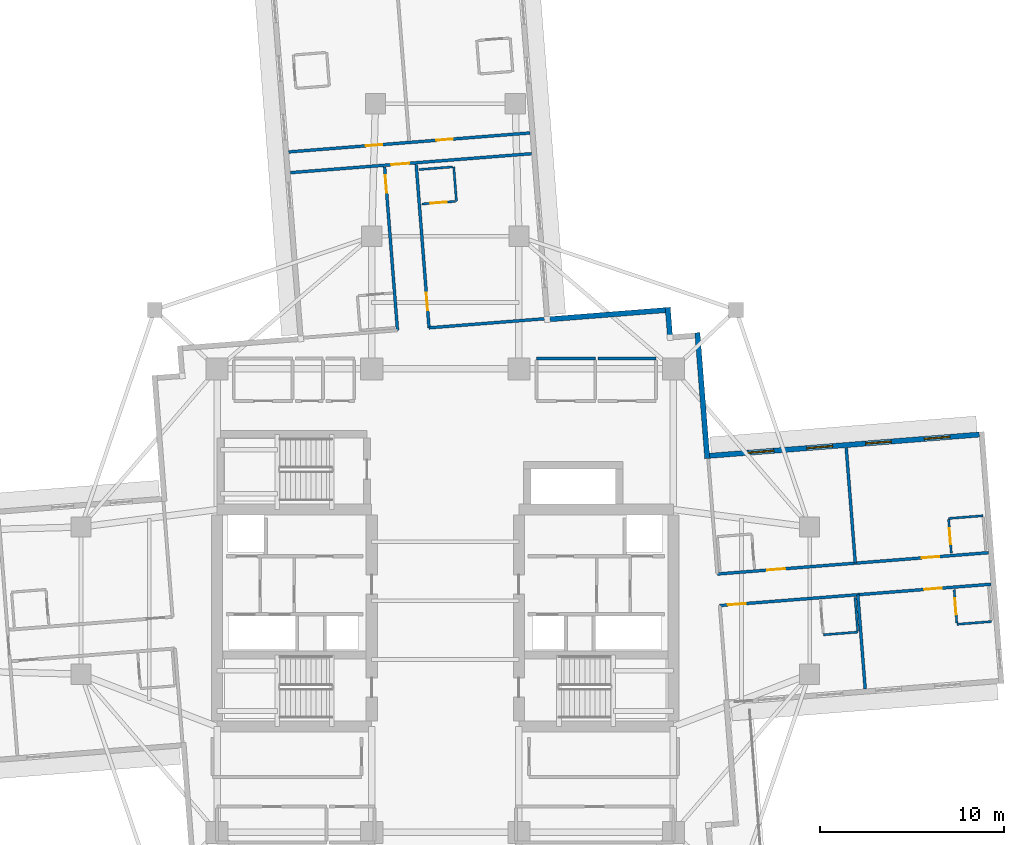
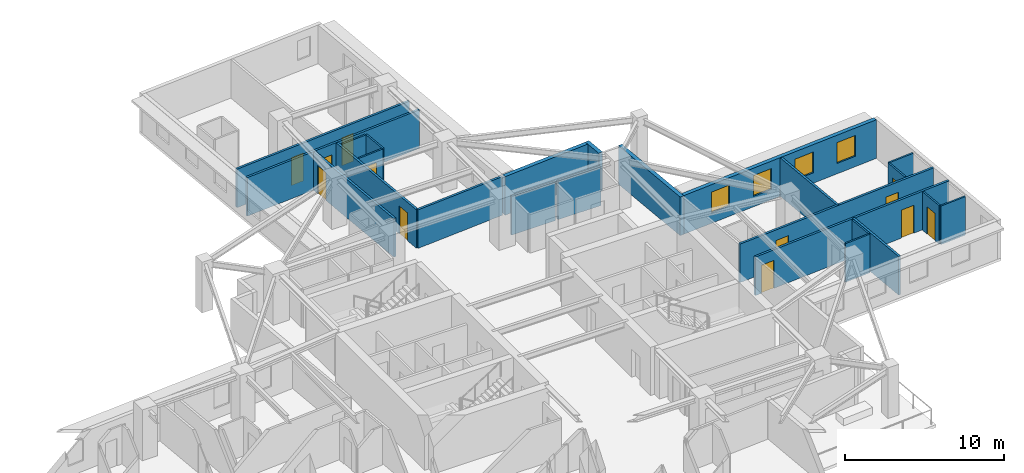
# One storey, part 8 of 14: 24 walls, 12 doors, 4 windows, 16 openings.
"""IFC4 building model written with IfcOpenShell, lengths in metres."""

from ifc_helpers import new_model, si_unit, direction, frame, frame_2d, origin, place, context, subcontext, project, spatial, rectangle, extrude, material, layer, layer_set, type_object, element, fill, save


model = new_model("IFC4")

# Units and contexts
model_context = context("Model", 3, precision=1e-05, world=origin(), true_north=direction((0.0, 1.0)))
body_context = subcontext(model_context, "Body", "Model", "MODEL_VIEW")
ifc_project = project(units=[si_unit("LENGTHUNIT", "METRE"), si_unit("AREAUNIT", "SQUARE_METRE"), si_unit("VOLUMEUNIT", "CUBIC_METRE"), si_unit("PLANEANGLEUNIT", "RADIAN"), si_unit("MASSUNIT", "GRAM", prefix="KILO")], contexts=[model_context])

# Site, building, storey
site_placement = place(None, origin())
site = spatial("IfcSite", under=ifc_project, at=site_placement, CompositionType="ELEMENT")
building_placement = place(site_placement, origin())
building = spatial("IfcBuilding", under=site, at=building_placement, Name="Qingluan Cross Belvedere", CompositionType="ELEMENT")
storey_placement = place(building_placement, frame((0.0, 0.0, 124.199951171875)))
storey = spatial("IfcBuildingStorey", under=building, at=storey_placement, Name="L31", CompositionType="ELEMENT", Elevation=124.199951171875)

# Walls
ifc_material_1 = material(Name="Gypsum plasterboard on steel stud acoustic partition", Category="steel")
ifc_layer_1 = layer(ifc_material_1, 0.159912109375, Name="CorridorPartition_160")
ifc_layer_set_1 = layer_set([ifc_layer_1], Name="Gypsum plasterboard on steel stud acoustic partition")
wall_type_1 = type_object("IfcWallType", Name="CorridorPartition_160", PredefinedType="PARTITIONING", material=ifc_layer_set_1)
wall_1_placement = place(storey_placement, frame((4.949951171875, 13.14990234375, 0.0), z_axis=(0.0, 0.0, 1.0), x_axis=(1.0, 0.0, 0.0)))
element("IfcWall", 1, at=wall_1_placement, inside=storey, type_object=wall_type_1, Name="Partition L31:q_ne1:N", PredefinedType="PARTITIONING", context=body_context, shape_type="SweptSolid", body=[
    extrude(rectangle(XDim=3.199951171875, YDim=0.159912109375, at=frame_2d((1.60009765625, 0.0))), origin(), (0.0, 0.0, 1.0), 2.9599609375),
])
wall_2_placement = place(storey_placement, frame((8.31005859375, 13.14990234375, 0.0), z_axis=(0.0, 0.0, 1.0), x_axis=(1.0, 0.0, 0.0)))
element("IfcWall", 2, at=wall_2_placement, inside=storey, type_object=wall_type_1, Name="Partition L31:q_ne2:N", PredefinedType="PARTITIONING", context=body_context, shape_type="SweptSolid", body=[
    extrude(rectangle(XDim=3.139892578125, YDim=0.159912109375, at=frame_2d((1.56982421875, 0.0))), origin(), (0.0, 0.0, 1.0), 2.9599609375),
])

# Wall, openings, doors
wall_3_placement = place(storey_placement, frame((14.7822265625, 1.4443359375, 0.0), z_axis=(0.0, 0.0, 1.0), x_axis=(0.996917997344, 0.078450663299, 0.0)))
wall_3 = element("IfcWall", 3, at=wall_3_placement, inside=storey, type_object=wall_type_1, Name="Partition L31:E:c0", PredefinedType="PARTITIONING", context=body_context, shape_type="SweptSolid", body=[
    extrude(rectangle(XDim=14.7822265625, YDim=0.159912109375, at=frame_2d((7.39111328125, 0.0))), origin(), (0.0, 0.0, 1.0), 2.9599609375),
])
opening_1_placement = place(wall_3_placement, frame((2.73291015625, 0.0, 0.0)))
opening_1 = element("IfcOpeningElement", 4, at=opening_1_placement, cuts=wall_3, Name="Opening GD-10", PredefinedType="OPENING", context=body_context, shape_type="SweptSolid", body=[
    extrude(rectangle(XDim=0.9599609375, YDim=2.14990234375, at=frame_2d((0.47998046875, 1.074951171875))), frame((0.0, 0.08984375, 0.0), z_axis=(0.0, -1.0, 0.0), x_axis=(1.0, 0.0, 0.0)), (0.0, 0.0, 1.0), 0.179931640625),
])
opening_2_placement = place(wall_3_placement, frame((11.14208984375, 0.0, 0.0)))
opening_2 = element("IfcOpeningElement", 5, at=opening_2_placement, cuts=wall_3, Name="Opening GD-10", PredefinedType="OPENING", context=body_context, shape_type="SweptSolid", body=[
    extrude(rectangle(XDim=0.9599609375, YDim=2.14990234375, at=frame_2d((0.47998046875, 1.074951171875))), frame((0.0, 0.08984375, 0.0), z_axis=(0.0, -1.0, 0.0), x_axis=(1.0, 0.0, 0.0)), (0.0, 0.0, 1.0), 0.179931640625),
])
ifc_material_2 = material(Name="Timber oak fire-rated acoustic guestroom door", Category="wood")
door_type_1 = type_object("IfcDoorType", Name="GuestEntryDoor_FD60", OperationType="NOTDEFINED", PredefinedType="DOOR", material=ifc_material_2)
door_1_placement = place(opening_1_placement, origin())
door_1 = element("IfcDoor", 6, at=door_1_placement, inside=storey, type_object=door_type_1, Name="Guest entry fire door 3101", OperationType="SINGLE_SWING_RIGHT", OverallHeight=2.14990234375, OverallWidth=0.9599609375, PredefinedType="DOOR", context=body_context, shape_type="SweptSolid", body=[
    extrude(rectangle(XDim=0.9599609375, YDim=2.14990234375, at=frame_2d((0.47998046875, 1.074951171875))), frame((0.0, 0.02490234375, 0.0), z_axis=(0.0, -1.0, 0.0), x_axis=(1.0, 0.0, 0.0)), (0.0, 0.0, 1.0), 0.050048828125),
])
fill(opening_1, door_1)
door_2_placement = place(opening_2_placement, origin())
door_2 = element("IfcDoor", 7, at=door_2_placement, inside=storey, type_object=door_type_1, Name="Guest entry fire door 3102", OperationType="SINGLE_SWING_RIGHT", OverallHeight=2.14990234375, OverallWidth=0.9599609375, PredefinedType="DOOR", context=body_context, shape_type="SweptSolid", body=[
    extrude(rectangle(XDim=0.9599609375, YDim=2.14990234375, at=frame_2d((0.47998046875, 1.074951171875))), frame((0.0, 0.02490234375, 0.0), z_axis=(0.0, -1.0, 0.0), x_axis=(1.0, 0.0, 0.0)), (0.0, 0.0, 1.0), 0.050048828125),
])
fill(opening_2, door_2)

# Wall
wall_4_placement = place(storey_placement, frame((22.2841796875, 2.03466796875, 0.0), z_axis=(0.0, 0.0, 1.0), x_axis=(-0.078494458979, 0.996914549954, 0.0)))
element("IfcWall", 8, at=wall_4_placement, inside=storey, type_object=wall_type_1, Name="Partition L31:E:d0_0", PredefinedType="PARTITIONING", context=body_context, shape_type="SweptSolid", body=[
    extrude(rectangle(XDim=6.292236328125, YDim=0.159912109375, at=frame_2d((3.14599609375, 0.0))), origin(), (0.0, 0.0, 1.0), 2.9599609375),
])

# Wall, openings, doors
wall_5_placement = place(storey_placement, frame((14.917236328125, -0.2705078125, 0.0), z_axis=(0.0, 0.0, 1.0), x_axis=(0.996916603826, 0.078468369529, 0.0)))
wall_5 = element("IfcWall", 9, at=wall_5_placement, inside=storey, type_object=wall_type_1, Name="Partition L31:E:c1", PredefinedType="PARTITIONING", context=body_context, shape_type="SweptSolid", body=[
    extrude(rectangle(XDim=14.781982421875, YDim=0.159912109375, at=frame_2d((7.39111328125, 0.0))), origin(), (0.0, 0.0, 1.0), 2.9599609375),
])
opening_3_placement = place(wall_5_placement, frame((0.449951171875, 0.0, 0.0)))
opening_3 = element("IfcOpeningElement", 10, at=opening_3_placement, cuts=wall_5, Name="Opening GD-10", PredefinedType="OPENING", context=body_context, shape_type="SweptSolid", body=[
    extrude(rectangle(XDim=0.9599609375, YDim=2.14990234375, at=frame_2d((0.47998046875, 1.074951171875))), frame((0.0, 0.08984375, 0.0), z_axis=(0.0, -1.0, 0.0), x_axis=(1.0, 0.0, 0.0)), (0.0, 0.0, 1.0), 0.179931640625),
])
opening_4_placement = place(wall_5_placement, frame((11.14208984375, 0.0, 0.0)))
opening_4 = element("IfcOpeningElement", 11, at=opening_4_placement, cuts=wall_5, Name="Opening GD-10", PredefinedType="OPENING", context=body_context, shape_type="SweptSolid", body=[
    extrude(rectangle(XDim=0.9599609375, YDim=2.14990234375, at=frame_2d((0.47998046875, 1.074951171875))), frame((0.0, 0.08984375, 0.0), z_axis=(0.0, -1.0, 0.0), x_axis=(1.0, 0.0, 0.0)), (0.0, 0.0, 1.0), 0.179931640625),
])
door_3_placement = place(opening_3_placement, origin())
door_3 = element("IfcDoor", 12, at=door_3_placement, inside=storey, type_object=door_type_1, Name="Guest entry fire door 3103", OperationType="SINGLE_SWING_RIGHT", OverallHeight=2.14990234375, OverallWidth=0.9599609375, PredefinedType="DOOR", context=body_context, shape_type="SweptSolid", body=[
    extrude(rectangle(XDim=0.9599609375, YDim=2.14990234375, at=frame_2d((0.47998046875, 1.074951171875))), frame((0.0, 0.02490234375, 0.0), z_axis=(0.0, -1.0, 0.0), x_axis=(1.0, 0.0, 0.0)), (0.0, 0.0, 1.0), 0.050048828125),
])
fill(opening_3, door_3)
door_4_placement = place(opening_4_placement, origin())
door_4 = element("IfcDoor", 13, at=door_4_placement, inside=storey, type_object=door_type_1, Name="Guest entry fire door 3104", OperationType="SINGLE_SWING_RIGHT", OverallHeight=2.14990234375, OverallWidth=0.9599609375, PredefinedType="DOOR", context=body_context, shape_type="SweptSolid", body=[
    extrude(rectangle(XDim=0.9599609375, YDim=2.14990234375, at=frame_2d((0.47998046875, 1.074951171875))), frame((0.0, 0.02490234375, 0.0), z_axis=(0.0, -1.0, 0.0), x_axis=(1.0, 0.0, 0.0)), (0.0, 0.0, 1.0), 0.050048828125),
])
fill(opening_4, door_4)

# Wall
wall_6_placement = place(storey_placement, frame((22.4189453125, 0.320068359375, 0.0), z_axis=(0.0, 0.0, 1.0), x_axis=(0.078493468985, -0.996914627903, 0.0)))
element("IfcWall", 14, at=wall_6_placement, inside=storey, type_object=wall_type_1, Name="Partition L31:E:d1_0", PredefinedType="PARTITIONING", context=body_context, shape_type="SweptSolid", body=[
    extrude(rectangle(XDim=5.132080078125, YDim=0.159912109375, at=frame_2d((2.56591796875, 0.0))), origin(), (0.0, 0.0, 1.0), 2.9599609375),
])

# Wall, opening, door
wall_7_placement = place(storey_placement, frame((-0.885986328125, 14.826171875, 0.0), z_axis=(0.0, 0.0, 1.0), x_axis=(-0.078454258523, 0.996917714418, 0.0)))
wall_7 = element("IfcWall", 15, at=wall_7_placement, inside=storey, type_object=wall_type_1, Name="Partition L31:N:c0", PredefinedType="PARTITIONING", context=body_context, shape_type="SweptSolid", body=[
    extrude(rectangle(XDim=8.89990234375, YDim=0.159912109375, at=frame_2d((4.449951171875, 0.0))), origin(), (0.0, 0.0, 1.0), 2.9599609375),
])
opening_5_placement = place(wall_7_placement, frame((0.952880859375, 0.0, 0.0)))
opening_5 = element("IfcOpeningElement", 16, at=opening_5_placement, cuts=wall_7, Name="Opening GD-10", PredefinedType="OPENING", context=body_context, shape_type="SweptSolid", body=[
    extrude(rectangle(XDim=0.9599609375, YDim=2.14990234375, at=frame_2d((0.47998046875, 1.074951171875))), frame((0.0, 0.08984375, 0.0), z_axis=(0.0, -1.0, 0.0), x_axis=(1.0, 0.0, 0.0)), (0.0, 0.0, 1.0), 0.179931640625),
])
door_5_placement = place(opening_5_placement, origin())
door_5 = element("IfcDoor", 17, at=door_5_placement, inside=storey, type_object=door_type_1, Name="Guest entry fire door 3107", OperationType="SINGLE_SWING_RIGHT", OverallHeight=2.14990234375, OverallWidth=0.9599609375, PredefinedType="DOOR", context=body_context, shape_type="SweptSolid", body=[
    extrude(rectangle(XDim=0.9599609375, YDim=2.14990234375, at=frame_2d((0.47998046875, 1.074951171875))), frame((0.0, 0.02490234375, 0.0), z_axis=(0.0, -1.0, 0.0), x_axis=(1.0, 0.0, 0.0)), (0.0, 0.0, 1.0), 0.050048828125),
])
fill(opening_5, door_5)

# Wall
wall_8_placement = place(storey_placement, frame((-0.885986328125, 14.826171875, 0.0), z_axis=(0.0, 0.0, 1.0), x_axis=(0.996916203247, 0.078473458597, 0.0)))
element("IfcWall", 18, at=wall_8_placement, inside=storey, type_object=wall_type_1, Name="Partition L31:N:s0", PredefinedType="PARTITIONING", context=body_context, shape_type="SweptSolid", body=[
    extrude(rectangle(XDim=6.43994140625, YDim=0.159912109375, at=frame_2d((3.219970703125, 0.0))), origin(), (0.0, 0.0, 1.0), 2.9599609375),
])

# Wall, opening, door
wall_9_placement = place(storey_placement, frame((-2.6005859375, 14.691162109375, 0.0), z_axis=(0.0, 0.0, 1.0), x_axis=(-0.07848152115, 0.99691556856, 0.0)))
wall_9 = element("IfcWall", 19, at=wall_9_placement, inside=storey, type_object=wall_type_1, Name="Partition L31:N:c1", PredefinedType="PARTITIONING", context=body_context, shape_type="SweptSolid", body=[
    extrude(rectangle(XDim=8.89990234375, YDim=0.159912109375, at=frame_2d((4.449951171875, 0.0))), origin(), (0.0, 0.0, 1.0), 2.9599609375),
])
opening_6_placement = place(wall_9_placement, frame((7.5, 0.0, 0.0)))
opening_6 = element("IfcOpeningElement", 20, at=opening_6_placement, cuts=wall_9, Name="Opening GD-10", PredefinedType="OPENING", context=body_context, shape_type="SweptSolid", body=[
    extrude(rectangle(XDim=0.9599609375, YDim=2.14990234375, at=frame_2d((0.47998046875, 1.074951171875))), frame((0.0, 0.08984375, 0.0), z_axis=(0.0, -1.0, 0.0), x_axis=(1.0, 0.0, 0.0)), (0.0, 0.0, 1.0), 0.179931640625),
])
door_6_placement = place(opening_6_placement, origin())
door_6 = element("IfcDoor", 21, at=door_6_placement, inside=storey, type_object=door_type_1, Name="Guest entry fire door 3108", OperationType="SINGLE_SWING_RIGHT", OverallHeight=2.14990234375, OverallWidth=0.9599609375, PredefinedType="DOOR", context=body_context, shape_type="SweptSolid", body=[
    extrude(rectangle(XDim=0.9599609375, YDim=2.14990234375, at=frame_2d((0.47998046875, 1.074951171875))), frame((0.0, 0.02490234375, 0.0), z_axis=(0.0, -1.0, 0.0), x_axis=(1.0, 0.0, 0.0)), (0.0, 0.0, 1.0), 0.050048828125),
])
fill(opening_6, door_6)

wall_10_placement = place(storey_placement, frame((-8.423095703125, 23.2607421875, 0.0), z_axis=(0.0, 0.0, 1.0), x_axis=(0.996917447065, 0.078457655694, 0.0)))
wall_10 = element("IfcWall", 22, at=wall_10_placement, inside=storey, type_object=wall_type_1, Name="Partition L31:Ncap:in", PredefinedType="PARTITIONING", context=body_context, shape_type="SweptSolid", body=[
    extrude(rectangle(XDim=13.14404296875, YDim=0.159912109375, at=frame_2d((6.572021484375, 0.0))), origin(), (0.0, 0.0, 1.0), 2.9599609375),
])
opening_7_placement = place(wall_10_placement, frame((5.511962890625, 0.0, 0.0)))
opening_7 = element("IfcOpeningElement", 23, at=opening_7_placement, cuts=wall_10, Name="Opening GD-10", PredefinedType="OPENING", context=body_context, shape_type="SweptSolid", body=[
    extrude(rectangle(XDim=0.9599609375, YDim=2.14990234375, at=frame_2d((0.47998046875, 1.074951171875))), frame((0.0, 0.08984375, 0.0), z_axis=(0.0, -1.0, 0.0), x_axis=(1.0, 0.0, 0.0)), (0.0, 0.0, 1.0), 0.179931640625),
])
door_7_placement = place(opening_7_placement, origin())
door_7 = element("IfcDoor", 24, at=door_7_placement, inside=storey, type_object=door_type_1, Name="Corner gallery fire door L31N", OperationType="SINGLE_SWING_LEFT", OverallHeight=2.14990234375, OverallWidth=0.9599609375, PredefinedType="DOOR", context=body_context, shape_type="SweptSolid", body=[
    extrude(rectangle(XDim=0.9599609375, YDim=2.14990234375, at=frame_2d((0.47998046875, 1.074951171875))), frame((0.0, 0.02490234375, 0.0), z_axis=(0.0, -1.0, 0.0), x_axis=(1.0, 0.0, 0.0)), (0.0, 0.0, 1.0), 0.050048828125),
])
fill(opening_7, door_7)

# Wall, openings, doors
wall_11_placement = place(storey_placement, frame((-8.51171875, 24.38720703125, 0.0), z_axis=(0.0, 0.0, 1.0), x_axis=(0.996915994096, 0.078476115573, 0.0)))
wall_11 = element("IfcWall", 25, at=wall_11_placement, inside=storey, type_object=wall_type_1, Name="Partition L31:Ncap:vw", PredefinedType="PARTITIONING", context=body_context, shape_type="SweptSolid", body=[
    extrude(rectangle(XDim=13.14404296875, YDim=0.159912109375, at=frame_2d((6.572021484375, 0.0))), origin(), (0.0, 0.0, 1.0), 2.9599609375),
])
opening_8_placement = place(wall_11_placement, frame((4.201904296875, 0.0, 0.0)))
opening_8 = element("IfcOpeningElement", 26, at=opening_8_placement, cuts=wall_11, Name="Opening GD-09", PredefinedType="OPENING", context=body_context, shape_type="SweptSolid", body=[
    extrude(rectangle(XDim=0.89990234375, YDim=2.14990234375, at=frame_2d((0.449951171875, 1.074951171875))), frame((0.0, 0.08984375, 0.0), z_axis=(0.0, -1.0, 0.0), x_axis=(1.0, 0.0, 0.0)), (0.0, 0.0, 1.0), 0.179931640625),
])
opening_9_placement = place(wall_11_placement, frame((8.0419921875, 0.0, 0.0)))
opening_9 = element("IfcOpeningElement", 27, at=opening_9_placement, cuts=wall_11, Name="Opening GD-09", PredefinedType="OPENING", context=body_context, shape_type="SweptSolid", body=[
    extrude(rectangle(XDim=0.89990234375, YDim=2.14990234375, at=frame_2d((0.449951171875, 1.074951171875))), frame((0.0, 0.08984375, 0.0), z_axis=(0.0, -1.0, 0.0), x_axis=(1.0, 0.0, 0.0)), (0.0, 0.0, 1.0), 0.179931640625),
])
ifc_material_3 = material(Name="Timber oak fire-rated corner room door", Category="wood")
door_type_2 = type_object("IfcDoorType", Name="CornerRoomDoor_FD60", OperationType="NOTDEFINED", PredefinedType="DOOR", material=ifc_material_3)
door_8_placement = place(opening_8_placement, origin())
door_8 = element("IfcDoor", 28, at=door_8_placement, inside=storey, type_object=door_type_2, Name="Deluxe corner room door L31N1", OperationType="SINGLE_SWING_RIGHT", OverallHeight=2.14990234375, OverallWidth=0.89990234375, PredefinedType="DOOR", context=body_context, shape_type="SweptSolid", body=[
    extrude(rectangle(XDim=0.89990234375, YDim=2.14990234375, at=frame_2d((0.449951171875, 1.074951171875))), frame((0.0, 0.02490234375, 0.0), z_axis=(0.0, -1.0, 0.0), x_axis=(1.0, 0.0, 0.0)), (0.0, 0.0, 1.0), 0.050048828125),
])
fill(opening_8, door_8)
door_9_placement = place(opening_9_placement, origin())
door_9 = element("IfcDoor", 29, at=door_9_placement, inside=storey, type_object=door_type_2, Name="Deluxe corner room door L31N2", OperationType="SINGLE_SWING_LEFT", OverallHeight=2.14990234375, OverallWidth=0.89990234375, PredefinedType="DOOR", context=body_context, shape_type="SweptSolid", body=[
    extrude(rectangle(XDim=0.89990234375, YDim=2.14990234375, at=frame_2d((0.449951171875, 1.074951171875))), frame((0.0, 0.02490234375, 0.0), z_axis=(0.0, -1.0, 0.0), x_axis=(1.0, 0.0, 0.0)), (0.0, 0.0, 1.0), 0.050048828125),
])
fill(opening_9, door_9)

# Wall, opening, door
ifc_material_4 = material(Name="Moisture-resistant gypsum board lining")
ifc_layer_2 = layer(ifc_material_4, 0.1201171875, Name="EnsuiteWetPartition_120")
ifc_layer_set_2 = layer_set([ifc_layer_2], Name="Moisture-resistant gypsum board lining")
wall_type_2 = type_object("IfcWallType", Name="EnsuiteWetPartition_120", PredefinedType="PARTITIONING", material=ifc_layer_set_2)
wall_12_placement = place(storey_placement, frame((27.501953125, 2.585693359375, 0.0), z_axis=(0.0, 0.0, 1.0), x_axis=(-0.0784709492, 0.996916400774, 0.0)))
wall_12 = element("IfcWall", 30, at=wall_12_placement, inside=storey, type_object=wall_type_2, Name="Partition L31:E:bs0_1", PredefinedType="PARTITIONING", context=body_context, shape_type="SweptSolid", body=[
    extrude(rectangle(XDim=1.820068359375, YDim=0.1201171875, at=frame_2d((0.91015625, 0.0))), origin(), (0.0, 0.0, 1.0), 2.9599609375),
])
opening_10_placement = place(wall_12_placement, frame((0.469970703125, 0.0, 0.0)))
opening_10 = element("IfcOpeningElement", 31, at=opening_10_placement, cuts=wall_12, Name="Opening BD-09", PredefinedType="OPENING", context=body_context, shape_type="SweptSolid", body=[
    extrude(rectangle(XDim=0.8798828125, YDim=2.10009765625, at=frame_2d((0.43994140625, 1.050048828125))), frame((0.0, 0.070068359375, 0.0), z_axis=(0.0, -1.0, 0.0), x_axis=(1.0, 0.0, 0.0)), (0.0, 0.0, 1.0), 0.14013671875),
])
ifc_material_5 = material(Name="Moisture-sealed timber en-suite door", Category="wood")
door_type_3 = type_object("IfcDoorType", Name="BathroomDoor_880", OperationType="NOTDEFINED", PredefinedType="DOOR", material=ifc_material_5)
door_10_placement = place(opening_10_placement, origin())
door_10 = element("IfcDoor", 32, at=door_10_placement, inside=storey, type_object=door_type_3, Name="Bathroom door 3102", OperationType="SINGLE_SWING_LEFT", OverallHeight=2.10009765625, OverallWidth=0.8798828125, PredefinedType="DOOR", context=body_context, shape_type="SweptSolid", body=[
    extrude(rectangle(XDim=0.8798828125, YDim=2.10009765625, at=frame_2d((0.43994140625, 1.050048828125))), frame((0.0, 0.02490234375, 0.0), z_axis=(0.0, -1.0, 0.0), x_axis=(1.0, 0.0, 0.0)), (0.0, 0.0, 1.0), 0.050048828125),
])
fill(opening_10, door_10)

# Walls
wall_13_placement = place(storey_placement, frame((27.35400390625, 4.46484375, 0.0), z_axis=(0.0, 0.0, 1.0), x_axis=(0.996919293781, 0.07843418698, 0.0)))
element("IfcWall", 33, at=wall_13_placement, inside=storey, type_object=wall_type_2, Name="Partition L31:E:bn0_1", PredefinedType="PARTITIONING", context=body_context, shape_type="SweptSolid", body=[
    extrude(rectangle(XDim=1.880126953125, YDim=0.1201171875, at=frame_2d((0.93994140625, 0.0))), origin(), (0.0, 0.0, 1.0), 2.9599609375),
])
wall_14_placement = place(storey_placement, frame((22.413330078125, -1.646484375, 0.0), z_axis=(0.0, 0.0, 1.0), x_axis=(-0.078481444107, 0.996915574626, 0.0)))
element("IfcWall", 34, at=wall_14_placement, inside=storey, type_object=wall_type_2, Name="Partition L31:E:bw1_0", PredefinedType="PARTITIONING", context=body_context, shape_type="SweptSolid", body=[
    extrude(rectangle(XDim=1.81982421875, YDim=0.1201171875, at=frame_2d((0.909912109375, 0.0))), origin(), (0.0, 0.0, 1.0), 2.9599609375),
])
wall_15_placement = place(storey_placement, frame((20.544189453125, -1.85888671875, 0.0), z_axis=(0.0, 0.0, 1.0), x_axis=(0.996909131608, 0.078563244057, 0.0)))
element("IfcWall", 35, at=wall_15_placement, inside=storey, type_object=wall_type_2, Name="Partition L31:E:bc1_0", PredefinedType="PARTITIONING", context=body_context, shape_type="SweptSolid", body=[
    extrude(rectangle(XDim=1.880126953125, YDim=0.1201171875, at=frame_2d((0.93994140625, 0.0))), origin(), (0.0, 0.0, 1.0), 2.9599609375),
])

# Wall, opening, door
wall_16_placement = place(storey_placement, frame((27.801513671875, -1.222412109375, 0.0), z_axis=(0.0, 0.0, 1.0), x_axis=(-0.078481444107, 0.996915574626, 0.0)))
wall_16 = element("IfcWall", 36, at=wall_16_placement, inside=storey, type_object=wall_type_2, Name="Partition L31:E:bs1_1", PredefinedType="PARTITIONING", context=body_context, shape_type="SweptSolid", body=[
    extrude(rectangle(XDim=1.81982421875, YDim=0.1201171875, at=frame_2d((0.909912109375, 0.0))), origin(), (0.0, 0.0, 1.0), 2.9599609375),
])
opening_11_placement = place(wall_16_placement, frame((0.469970703125, 0.0, 0.0)))
opening_11 = element("IfcOpeningElement", 37, at=opening_11_placement, cuts=wall_16, Name="Opening BD-09", PredefinedType="OPENING", context=body_context, shape_type="SweptSolid", body=[
    extrude(rectangle(XDim=0.8798828125, YDim=2.10009765625, at=frame_2d((0.43994140625, 1.050048828125))), frame((0.0, 0.070068359375, 0.0), z_axis=(0.0, -1.0, 0.0), x_axis=(1.0, 0.0, 0.0)), (0.0, 0.0, 1.0), 0.14013671875),
])
door_11_placement = place(opening_11_placement, origin())
door_11 = element("IfcDoor", 38, at=door_11_placement, inside=storey, type_object=door_type_3, Name="Bathroom door 3104", OperationType="SINGLE_SWING_LEFT", OverallHeight=2.10009765625, OverallWidth=0.8798828125, PredefinedType="DOOR", context=body_context, shape_type="SweptSolid", body=[
    extrude(rectangle(XDim=0.8798828125, YDim=2.10009765625, at=frame_2d((0.43994140625, 1.050048828125))), frame((0.0, 0.02490234375, 0.0), z_axis=(0.0, -1.0, 0.0), x_axis=(1.0, 0.0, 0.0)), (0.0, 0.0, 1.0), 0.050048828125),
])
fill(opening_11, door_11)

# Wall
wall_17_placement = place(storey_placement, frame((27.806640625, -1.287353515625, 0.0), z_axis=(0.0, 0.0, 1.0), x_axis=(0.996919293781, 0.07843418698, 0.0)))
element("IfcWall", 39, at=wall_17_placement, inside=storey, type_object=wall_type_2, Name="Partition L31:E:bc1_1", PredefinedType="PARTITIONING", context=body_context, shape_type="SweptSolid", body=[
    extrude(rectangle(XDim=1.880126953125, YDim=0.1201171875, at=frame_2d((0.93994140625, 0.0))), origin(), (0.0, 0.0, 1.0), 2.9599609375),
])

# Wall, opening, door
wall_18_placement = place(storey_placement, frame((-1.275146484375, 21.556396484375, 0.0), z_axis=(0.0, 0.0, 1.0), x_axis=(0.996916400774, 0.0784709492, 0.0)))
wall_18 = element("IfcWall", 40, at=wall_18_placement, inside=storey, type_object=wall_type_2, Name="Partition L31:N:bs0_0", PredefinedType="PARTITIONING", context=body_context, shape_type="SweptSolid", body=[
    extrude(rectangle(XDim=1.820068359375, YDim=0.1201171875, at=frame_2d((0.91015625, 0.0))), origin(), (0.0, 0.0, 1.0), 2.9599609375),
])
opening_12_placement = place(wall_18_placement, frame((0.469970703125, 0.0, 0.0)))
opening_12 = element("IfcOpeningElement", 41, at=opening_12_placement, cuts=wall_18, Name="Opening BD-09", PredefinedType="OPENING", context=body_context, shape_type="SweptSolid", body=[
    extrude(rectangle(XDim=0.8798828125, YDim=2.10009765625, at=frame_2d((0.43994140625, 1.050048828125))), frame((0.0, 0.070068359375, 0.0), z_axis=(0.0, -1.0, 0.0), x_axis=(1.0, 0.0, 0.0)), (0.0, 0.0, 1.0), 0.14013671875),
])
door_12_placement = place(opening_12_placement, origin())
door_12 = element("IfcDoor", 42, at=door_12_placement, inside=storey, type_object=door_type_3, Name="Bathroom door 3107", OperationType="SINGLE_SWING_LEFT", OverallHeight=2.10009765625, OverallWidth=0.8798828125, PredefinedType="DOOR", context=body_context, shape_type="SweptSolid", body=[
    extrude(rectangle(XDim=0.8798828125, YDim=2.10009765625, at=frame_2d((0.43994140625, 1.050048828125))), frame((0.0, 0.02490234375, 0.0), z_axis=(0.0, -1.0, 0.0), x_axis=(1.0, 0.0, 0.0)), (0.0, 0.0, 1.0), 0.050048828125),
])
fill(opening_12, door_12)

# Walls
wall_19_placement = place(storey_placement, frame((-1.422607421875, 23.4306640625, 0.0), z_axis=(0.0, 0.0, 1.0), x_axis=(0.996915574626, 0.078481444107, 0.0)))
element("IfcWall", 43, at=wall_19_placement, inside=storey, type_object=wall_type_2, Name="Partition L31:N:bw0_0", PredefinedType="PARTITIONING", context=body_context, shape_type="SweptSolid", body=[
    extrude(rectangle(XDim=1.81982421875, YDim=0.1201171875, at=frame_2d((0.909912109375, 0.0))), origin(), (0.0, 0.0, 1.0), 2.9599609375),
])
wall_20_placement = place(storey_placement, frame((0.60400390625, 21.704345703125, 0.0), z_axis=(0.0, 0.0, 1.0), x_axis=(-0.07843418698, 0.996919293781, 0.0)))
element("IfcWall", 44, at=wall_20_placement, inside=storey, type_object=wall_type_2, Name="Partition L31:N:bn0_0", PredefinedType="PARTITIONING", context=body_context, shape_type="SweptSolid", body=[
    extrude(rectangle(XDim=1.880126953125, YDim=0.1201171875, at=frame_2d((0.93994140625, 0.0))), origin(), (0.0, 0.0, 1.0), 2.9599609375),
])

# Wall, openings, windows
ifc_material_6 = material(Name="Precast concrete C45", Category="concrete")
ifc_layer_3 = layer(ifc_material_6, 0.280029296875, Name="PrecastFacadeWall_280")
ifc_layer_set_3 = layer_set([ifc_layer_3], Name="Precast concrete C45")
wall_type_3 = type_object("IfcWallType", Name="PrecastFacadeWall_280", PredefinedType="STANDARD", material=ifc_layer_set_3)
wall_21_placement = place(storey_placement, frame((29.021484375, 9.02490234375, 0.0), z_axis=(0.0, 0.0, 1.0), x_axis=(-0.996917526837, -0.078456642068, 0.0)))
wall_21 = element("IfcWall", 45, at=wall_21_placement, inside=storey, type_object=wall_type_3, Name="Facade wall L31-EB", PredefinedType="STANDARD", context=body_context, shape_type="SweptSolid", body=[
    extrude(rectangle(XDim=14.7001953125, YDim=0.280029296875, at=frame_2d((7.35009765625, 0.0))), origin(), (0.0, 0.0, 1.0), 2.969970703125),
])
opening_13_placement = place(wall_21_placement, frame((1.60009765625, 0.0, 0.800048828125)))
opening_13 = element("IfcOpeningElement", 46, at=opening_13_placement, cuts=wall_21, Name="Opening W-01", PredefinedType="OPENING", context=body_context, shape_type="SweptSolid", body=[
    extrude(rectangle(XDim=1.39990234375, YDim=1.60009765625, at=frame_2d((0.699951171875, 0.800048828125))), frame((0.0, 0.14990234375, 0.0), z_axis=(0.0, -1.0, 0.0), x_axis=(1.0, 0.0, 0.0)), (0.0, 0.0, 1.0), 0.300048828125),
])
opening_14_placement = place(wall_21_placement, frame((4.800048828125, 0.0, 0.800048828125)))
opening_14 = element("IfcOpeningElement", 47, at=opening_14_placement, cuts=wall_21, Name="Opening W-01", PredefinedType="OPENING", context=body_context, shape_type="SweptSolid", body=[
    extrude(rectangle(XDim=1.39990234375, YDim=1.60009765625, at=frame_2d((0.699951171875, 0.800048828125))), frame((0.0, 0.14990234375, 0.0), z_axis=(0.0, -1.0, 0.0), x_axis=(1.0, 0.0, 0.0)), (0.0, 0.0, 1.0), 0.300048828125),
])
opening_15_placement = place(wall_21_placement, frame((8.0, 0.0, 0.800048828125)))
opening_15 = element("IfcOpeningElement", 48, at=opening_15_placement, cuts=wall_21, Name="Opening W-01", PredefinedType="OPENING", context=body_context, shape_type="SweptSolid", body=[
    extrude(rectangle(XDim=1.39990234375, YDim=1.60009765625, at=frame_2d((0.699951171875, 0.800048828125))), frame((0.0, 0.14990234375, 0.0), z_axis=(0.0, -1.0, 0.0), x_axis=(1.0, 0.0, 0.0)), (0.0, 0.0, 1.0), 0.300048828125),
])
opening_16_placement = place(wall_21_placement, frame((11.199951171875, 0.0, 0.800048828125)))
opening_16 = element("IfcOpeningElement", 49, at=opening_16_placement, cuts=wall_21, Name="Opening W-01", PredefinedType="OPENING", context=body_context, shape_type="SweptSolid", body=[
    extrude(rectangle(XDim=1.39990234375, YDim=1.60009765625, at=frame_2d((0.699951171875, 0.800048828125))), frame((0.0, 0.14990234375, 0.0), z_axis=(0.0, -1.0, 0.0), x_axis=(1.0, 0.0, 0.0)), (0.0, 0.0, 1.0), 0.300048828125),
])
ifc_material_7 = material(Name="Thermally broken triple Low-E glass in aluminium frame", Category="aluminium")
window_type = type_object("IfcWindowType", Name="TriRibbonWin_1400x1600", PartitioningType="SINGLE_PANEL", PredefinedType="WINDOW", material=ifc_material_7)
window_1_placement = place(opening_13_placement, origin())
window_1 = element("IfcWindow", 50, at=window_1_placement, inside=storey, type_object=window_type, Name="Ribbon window L31-EB-1", OverallHeight=1.60009765625, OverallWidth=1.39990234375, PartitioningType="SINGLE_PANEL", PredefinedType="WINDOW", context=body_context, shape_type="SweptSolid", body=[
    extrude(rectangle(XDim=1.39990234375, YDim=1.60009765625, at=frame_2d((0.699951171875, 0.800048828125))), frame((0.0, 0.030029296875, 0.0), z_axis=(0.0, -1.0, 0.0), x_axis=(1.0, 0.0, 0.0)), (0.0, 0.0, 1.0), 0.06005859375),
])
fill(opening_13, window_1)
window_2_placement = place(opening_14_placement, origin())
window_2 = element("IfcWindow", 51, at=window_2_placement, inside=storey, type_object=window_type, Name="Ribbon window L31-EB-2", OverallHeight=1.60009765625, OverallWidth=1.39990234375, PartitioningType="SINGLE_PANEL", PredefinedType="WINDOW", context=body_context, shape_type="SweptSolid", body=[
    extrude(rectangle(XDim=1.39990234375, YDim=1.60009765625, at=frame_2d((0.699951171875, 0.800048828125))), frame((0.0, 0.030029296875, 0.0), z_axis=(0.0, -1.0, 0.0), x_axis=(1.0, 0.0, 0.0)), (0.0, 0.0, 1.0), 0.06005859375),
])
fill(opening_14, window_2)
window_3_placement = place(opening_15_placement, origin())
window_3 = element("IfcWindow", 52, at=window_3_placement, inside=storey, type_object=window_type, Name="Ribbon window L31-EB-3", OverallHeight=1.60009765625, OverallWidth=1.39990234375, PartitioningType="SINGLE_PANEL", PredefinedType="WINDOW", context=body_context, shape_type="SweptSolid", body=[
    extrude(rectangle(XDim=1.39990234375, YDim=1.60009765625, at=frame_2d((0.699951171875, 0.800048828125))), frame((0.0, 0.030029296875, 0.0), z_axis=(0.0, -1.0, 0.0), x_axis=(1.0, 0.0, 0.0)), (0.0, 0.0, 1.0), 0.06005859375),
])
fill(opening_15, window_3)
window_4_placement = place(opening_16_placement, origin())
window_4 = element("IfcWindow", 53, at=window_4_placement, inside=storey, type_object=window_type, Name="Ribbon window L31-EB-4", OverallHeight=1.60009765625, OverallWidth=1.39990234375, PartitioningType="SINGLE_PANEL", PredefinedType="WINDOW", context=body_context, shape_type="SweptSolid", body=[
    extrude(rectangle(XDim=1.39990234375, YDim=1.60009765625, at=frame_2d((0.699951171875, 0.800048828125))), frame((0.0, 0.030029296875, 0.0), z_axis=(0.0, -1.0, 0.0), x_axis=(1.0, 0.0, 0.0)), (0.0, 0.0, 1.0), 0.06005859375),
])
fill(opening_16, window_4)

# Walls
wall_22_placement = place(storey_placement, frame((14.238037109375, 7.720947265625, 0.0), z_axis=(0.0, 0.0, 1.0), x_axis=(-0.078438149236, 0.996918982036, 0.0)))
element("IfcWall", 54, at=wall_22_placement, inside=storey, type_object=wall_type_3, Name="Corner wall L31-NE1", PredefinedType="STANDARD", context=body_context, shape_type="SweptSolid", body=[
    extrude(rectangle(XDim=6.860107421875, YDim=0.280029296875, at=frame_2d((3.43017578125, 0.0))), origin(), (0.0, 0.0, 1.0), 2.969970703125),
])
wall_23_placement = place(storey_placement, frame((12.20458984375, 14.442138671875, 0.0), z_axis=(0.0, 0.0, 1.0), x_axis=(-0.078451338629, 0.9969179442, 0.0)))
element("IfcWall", 55, at=wall_23_placement, inside=storey, type_object=wall_type_3, Name="Corner wall L31-NE3", PredefinedType="STANDARD", context=body_context, shape_type="SweptSolid", body=[
    extrude(rectangle(XDim=1.5, YDim=0.280029296875, at=frame_2d((0.75, 0.0))), origin(), (0.0, 0.0, 1.0), 2.969970703125),
])
wall_24_placement = place(storey_placement, frame((11.958251953125, 15.786865234375, 0.0), z_axis=(0.0, 0.0, 1.0), x_axis=(-0.996916125428, -0.078474447191, 0.0)))
element("IfcWall", 56, at=wall_24_placement, inside=storey, type_object=wall_type_3, Name="Corner wall L31-NE4", PredefinedType="STANDARD", context=body_context, shape_type="SweptSolid", body=[
    extrude(rectangle(XDim=6.300048828125, YDim=0.280029296875, at=frame_2d((3.14990234375, 0.0))), origin(), (0.0, 0.0, 1.0), 2.969970703125),
])

save(model, "model.ifc")
